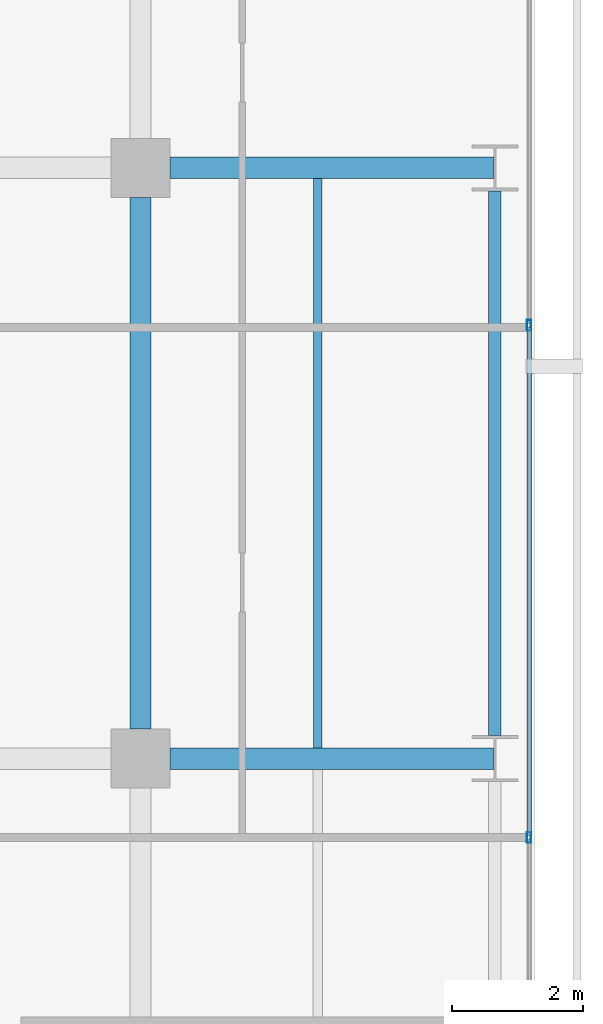
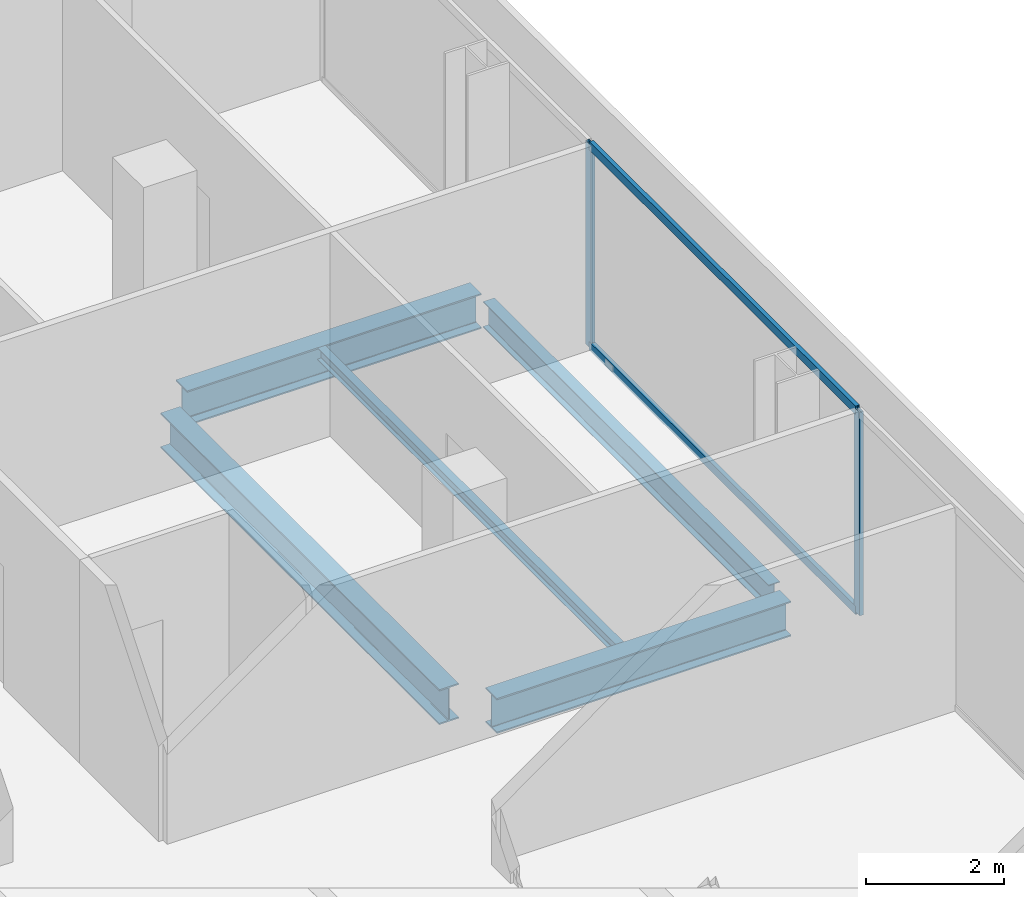
# One storey, part 28 of 41: 5 beams, 4 members, 1 element without a shape of its own.
"""IFC4 building model written with IfcOpenShell, lengths in metres."""

from ifc_helpers import new_model, si_unit, direction, frame, origin, origin_2d, place, context, subcontext, project, spatial, hollow_rectangle, i_section, extrude, material, layer, layer_set, material_profile, profile_set, type_object, element, aggregate, save


model = new_model("IFC4")

# Units and contexts
model_context = context("Model", 3, precision=1e-05, world=origin(), true_north=direction((0.0, 1.0)))
body_context = subcontext(model_context, "Body", "Model", "MODEL_VIEW")
ifc_project = project(units=[si_unit("LENGTHUNIT", "METRE"), si_unit("AREAUNIT", "SQUARE_METRE"), si_unit("VOLUMEUNIT", "CUBIC_METRE"), si_unit("PLANEANGLEUNIT", "RADIAN"), si_unit("MASSUNIT", "GRAM", prefix="KILO")], contexts=[model_context])

# Site, building, storey
site_placement = place(None, origin())
site = spatial("IfcSite", under=ifc_project, at=site_placement, CompositionType="ELEMENT")
building_placement = place(site_placement, origin())
building = spatial("IfcBuilding", under=site, at=building_placement, Name="Maruvema Waterfront Hotel and Observation Tower", CompositionType="ELEMENT")
storey_placement = place(building_placement, frame((0.0, 0.0, 61.60009765625)))
storey = spatial("IfcBuildingStorey", under=building, at=storey_placement, Name="L14", CompositionType="ELEMENT", Elevation=61.60009765625)

# Curtain wall, members
ifc_material_1 = material(Name="Anodised bronze aluminium and solar-control low-E IGU", Category="aluminium")
ifc_layer = layer(ifc_material_1, 0.159912109375, Name="Zone 1 Bronze Inner Thermal Curtain Wall System CW-02")
ifc_layer_set = layer_set([ifc_layer], Name="Anodised bronze aluminium and solar-control low-E IGU")
curtain_wall_type = type_object("IfcCurtainWallType", Name="Zone 1 Bronze Inner Thermal Curtain Wall System CW-02", PredefinedType="USERDEFINED", material=ifc_layer_set)
curtain_wall_placement = place(storey_placement, origin())
curtain_wall = element("IfcCurtainWall", 1, at=curtain_wall_placement, inside=storey, type_object=curtain_wall_type, Name="L14 Curtain Wall CW-L14-E", ObjectType="UNITISED CURTAIN WALL", PredefinedType="USERDEFINED")
ifc_material_2 = material(Name="Anodised architectural bronze aluminium", Category="aluminium")
ifc_material_profile_1 = material_profile(ifc_material_2, hollow_rectangle(XDim=0.070068359375, YDim=0.14990234375, WallThickness=0.00390625, at=origin_2d()), Name="ALU-T70x150")
ifc_profile_set_1 = profile_set([ifc_material_profile_1], Name="Anodised architectural bronze aluminium")
member_type_1 = type_object("IfcMemberType", Name="Curtain Wall Horizontal Transom ALU-T70x150", PredefinedType="USERDEFINED", material=ifc_profile_set_1)
member_1_placement = place(storey_placement, frame((64.719970703125, 34.830078125, 0.02978515625), z_axis=(0.0, 1.0, 0.0), x_axis=(-1.0, 0.0, 0.0)))
member_1 = element("IfcMember", 2, at=member_1_placement, type_object=member_type_1, Name="CW-02 transom 5.1", ObjectType="TRANSOM", PredefinedType="USERDEFINED", context=body_context, shape_type="SweptSolid", body=[
    extrude(hollow_rectangle(XDim=0.070068359375, YDim=0.14990234375, WallThickness=0.00390625, at=origin_2d()), origin(), (0.0, 0.0, 1.0), 7.739990234375),
])
member_2_placement = place(storey_placement, frame((64.719970703125, 34.830078125, 3.579833984375), z_axis=(0.0, 1.0, 0.0), x_axis=(-1.0, 0.0, 0.0)))
member_2 = element("IfcMember", 3, at=member_2_placement, type_object=member_type_1, Name="CW-02 transom 5.2", ObjectType="TRANSOM", PredefinedType="USERDEFINED", context=body_context, shape_type="SweptSolid", body=[
    extrude(hollow_rectangle(XDim=0.070068359375, YDim=0.14990234375, WallThickness=0.00390625, at=origin_2d()), origin(), (0.0, 0.0, 1.0), 7.739990234375),
])
ifc_material_3 = material(Name="Anodised architectural bronze aluminium", Category="aluminium")
ifc_material_profile_2 = material_profile(ifc_material_3, hollow_rectangle(XDim=0.06494140625, YDim=0.1650390625, WallThickness=0.00390625, at=origin_2d()), Name="ALU-M65x165")
ifc_profile_set_2 = profile_set([ifc_material_profile_2], Name="Anodised architectural bronze aluminium")
member_type_2 = type_object("IfcMemberType", Name="Curtain Wall Primary Mullion ALU-M65x165", PredefinedType="MULLION", material=ifc_profile_set_2)
member_3_placement = place(storey_placement, frame((64.719970703125, 34.800048828125, 0.0), z_axis=(0.0, 0.0, 1.0), x_axis=(-1.0, 0.0, 0.0)))
member_3 = element("IfcMember", 4, at=member_3_placement, type_object=member_type_2, Name="CW-02 mullion 5", PredefinedType="MULLION", context=body_context, shape_type="SweptSolid", body=[
    extrude(hollow_rectangle(XDim=0.06494140625, YDim=0.1650390625, WallThickness=0.00390625, at=origin_2d()), origin(), (0.0, 0.0, 1.0), 3.60986328125),
])
member_4_placement = place(storey_placement, frame((64.719970703125, 42.60009765625, 0.0), z_axis=(0.0, 0.0, 1.0), x_axis=(-1.0, 0.0, 0.0)))
member_4 = element("IfcMember", 5, at=member_4_placement, type_object=member_type_2, Name="CW-02 mullion 6", PredefinedType="MULLION", context=body_context, shape_type="SweptSolid", body=[
    extrude(hollow_rectangle(XDim=0.06494140625, YDim=0.1650390625, WallThickness=0.00390625, at=origin_2d()), origin(), (0.0, 0.0, 1.0), 3.60986328125),
])
aggregate(curtain_wall, [member_3, member_4, member_1, member_2])

# Beams
ifc_material_4 = material(Name="Steel ASTM A572 Grade 50", Category="steel")
ifc_material_profile_3 = material_profile(ifc_material_4, i_section(OverallWidth=0.18994140625, OverallDepth=0.45703125, WebThickness=0.009033203125, FlangeThickness=0.014404296875, FilletRadius=0.014892578125, at=origin_2d()), Name="W460x74.0")
ifc_profile_set_3 = profile_set([ifc_material_profile_3], Name="Steel ASTM A572 Grade 50")
beam_type_1 = type_object("IfcBeamType", Name="Perimeter Spandrel Beam W460x74.0", PredefinedType="SPANDREL", material=ifc_profile_set_3)
beam_1_placement = place(storey_placement, frame((64.199951171875, 36.35009765625, -0.468505859375), z_axis=(0.0, 1.0, 0.0), x_axis=(-1.0, 0.0, 0.0)))
element("IfcBeam", 6, at=beam_1_placement, inside=storey, type_object=beam_type_1, Name="L14 Floor Girder NS-36", PredefinedType="SPANDREL", context=body_context, shape_type="SweptSolid", body=[
    extrude(i_section(OverallWidth=0.18994140625, OverallDepth=0.45703125, WebThickness=0.009033203125, FlangeThickness=0.014404296875, FilletRadius=0.014892578125, at=origin_2d()), origin(), (0.0, 0.0, 1.0), 8.2998046875),
])
ifc_material_5 = material(Name="Steel ASTM A572 Grade 50", Category="steel")
ifc_material_profile_4 = material_profile(ifc_material_5, i_section(OverallWidth=0.326904296875, OverallDepth=0.6220703125, WebThickness=0.015380859375, FlangeThickness=0.0244140625, FilletRadius=0.01806640625, at=origin_2d()), Name="W610x195.0")
ifc_profile_set_4 = profile_set([ifc_material_profile_4], Name="Steel ASTM A572 Grade 50")
beam_type_2 = type_object("IfcBeamType", Name="Primary Floor Girder W610x195.0", PredefinedType="BEAM", material=ifc_profile_set_4)
for number, where, z_axis, x_axis, name in (
    (7, (59.25, 36.0, -0.551025390625), (1.0, 0.0, 0.0), (0.0, 1.0, 0.0), "L14 Floor Girder EW-31"),
    (8, (59.25, 45.0, -0.551025390625), (1.0, 0.0, 0.0), (0.0, 1.0, 0.0), "L14 Floor Girder EW-35"),
):
    element("IfcBeam", number, at=place(storey_placement, frame(where, z_axis=z_axis, x_axis=x_axis)), inside=storey, type_object=beam_type_2, Name=name, PredefinedType="BEAM", context=body_context, shape_type="SweptSolid", body=[
        extrude(i_section(OverallWidth=0.326904296875, OverallDepth=0.6220703125, WebThickness=0.015380859375, FlangeThickness=0.0244140625, FilletRadius=0.01806640625, at=origin_2d()), origin(), (0.0, 0.0, 1.0), 4.93603515625),
    ])
beam_2_placement = place(storey_placement, frame((58.800048828125, 36.449951171875, -0.551025390625), z_axis=(0.0, 1.0, 0.0), x_axis=(-1.0, 0.0, 0.0)))
element("IfcBeam", 9, at=beam_2_placement, inside=storey, type_object=beam_type_2, Name="L14 Floor Girder NS-31", PredefinedType="BEAM", context=body_context, shape_type="SweptSolid", body=[
    extrude(i_section(OverallWidth=0.326904296875, OverallDepth=0.6220703125, WebThickness=0.015380859375, FlangeThickness=0.0244140625, FilletRadius=0.01806640625, at=origin_2d()), origin(), (0.0, 0.0, 1.0), 8.10009765625),
])
ifc_material_6 = material(Name="Steel ASTM A572 Grade 50", Category="steel")
ifc_material_profile_5 = material_profile(ifc_material_6, i_section(OverallWidth=0.133056640625, OverallDepth=0.20703125, WebThickness=0.005859375, FlangeThickness=0.00830078125, FilletRadius=0.010009765625, at=origin_2d()), Name="W200x26.6")
ifc_profile_set_5 = profile_set([ifc_material_profile_5], Name="Steel ASTM A572 Grade 50")
beam_type_3 = type_object("IfcBeamType", Name="Secondary Floor Joist W200x26.6", PredefinedType="JOIST", material=ifc_profile_set_5)
beam_3_placement = place(storey_placement, frame((61.5, 36.16357421875, -0.343505859375), z_axis=(0.0, 1.0, 0.0), x_axis=(-1.0, 0.0, 0.0)))
element("IfcBeam", 10, at=beam_3_placement, inside=storey, type_object=beam_type_3, Name="L14 Secondary Floor Joist JS-24", PredefinedType="JOIST", context=body_context, shape_type="SweptSolid", body=[
    extrude(i_section(OverallWidth=0.133056640625, OverallDepth=0.20703125, WebThickness=0.005859375, FlangeThickness=0.00830078125, FilletRadius=0.010009765625, at=origin_2d()), origin(), (0.0, 0.0, 1.0), 8.6728515625),
])

save(model, "model.ifc")
